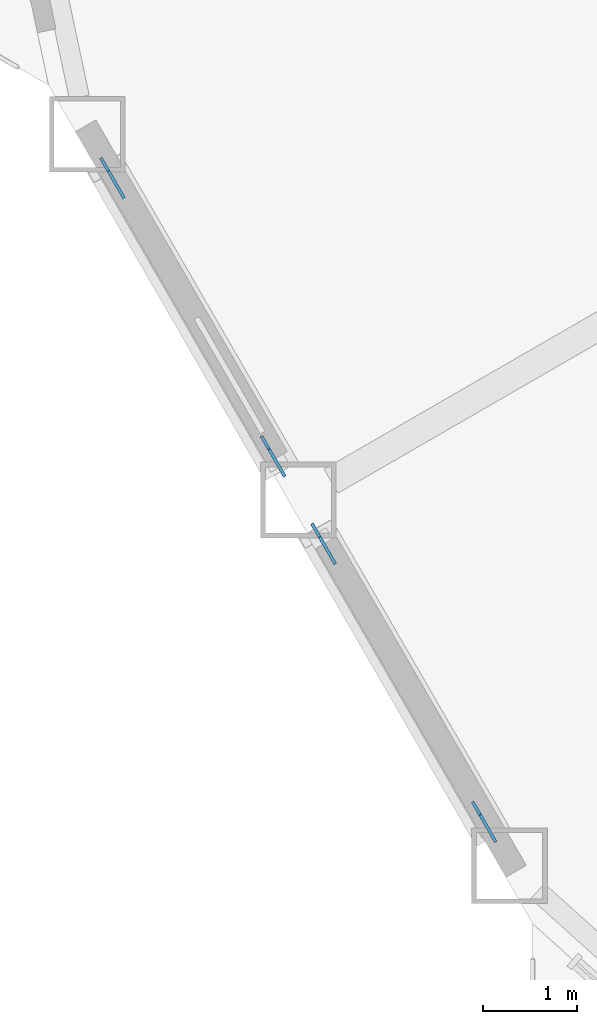
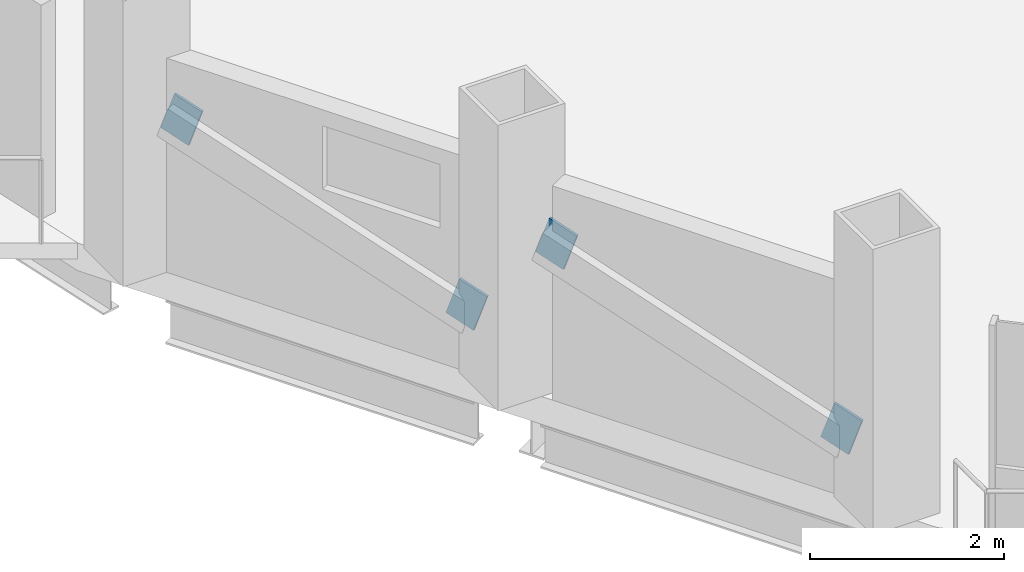
# One storey, part 16 of 23: 4 discrete accessories.
"""IFC4 building model written with IfcOpenShell, lengths in metres."""

from ifc_helpers import new_model, si_unit, direction, frame, origin, origin_2d, place, context, subcontext, project, spatial, rectangle, extrude, material, material_profile, profile_set, type_object, element, save


model = new_model("IFC4")

# Units and contexts
model_context = context("Model", 3, precision=1e-05, world=origin(), true_north=direction((0.0, 1.0)))
body_context = subcontext(model_context, "Body", "Model", "MODEL_VIEW")
ifc_project = project(units=[si_unit("LENGTHUNIT", "METRE"), si_unit("AREAUNIT", "SQUARE_METRE"), si_unit("VOLUMEUNIT", "CUBIC_METRE"), si_unit("PLANEANGLEUNIT", "RADIAN"), si_unit("MASSUNIT", "GRAM", prefix="KILO")], contexts=[model_context])

# Site, building, storey
site_placement = place(None, origin())
site = spatial("IfcSite", under=ifc_project, at=site_placement, CompositionType="ELEMENT")
building_placement = place(site_placement, origin())
building = spatial("IfcBuilding", under=site, at=building_placement, Name="Cormorant Prow Tower", CompositionType="ELEMENT")
storey_placement = place(building_placement, frame((0.0, 0.0, 172.800048828125)))
storey = spatial("IfcBuildingStorey", under=building, at=storey_placement, Name="L36", CompositionType="ELEMENT", Elevation=172.800048828125)

# Discrete accessories
ifc_material = material(Name="Structural steel ASTM A500 Gr C", Category="steel")
ifc_material_profile = material_profile(ifc_material, rectangle(XDim=0.031982421875, YDim=0.506103515625, at=origin_2d()), Name="Gusset plate 32x506")
ifc_profile_set = profile_set([ifc_material_profile], Name="Structural steel ASTM A500 Gr C")
discrete_accessory_type = type_object("IfcDiscreteAccessoryType", Name="Gusset plate 32x506", PredefinedType="BRACKET", material=ifc_profile_set)
for number, where, z_axis, x_axis, name in (
    (1, (-28.40966796875, -15.59228515625, 0.83544921875), (0.4742777402, -0.820918970906, -0.31804507284), (0.86587923604, 0.500253084543, 0.0), "Gusset plate GP2 L36.WSW00.g0"),
    (2, (-29.943359375, -12.935791015625, 1.865234375), (-0.473631655621, 0.821008039272, 0.31877712315), (-0.866197837791, -0.499701216534, 0.0), "Gusset plate GP2 L36.WSW00.g1"),
):
    element("IfcDiscreteAccessory", number, at=place(storey_placement, frame(where, z_axis=z_axis, x_axis=x_axis)), inside=storey, type_object=discrete_accessory_type, Name=name, PredefinedType="BRACKET", context=body_context, shape_type="SweptSolid", body=[
        extrude(rectangle(XDim=0.031982421875, YDim=0.506103515625, at=origin_2d()), origin(), (0.0, 0.0, 1.0), 0.35009765625),
    ])
discrete_accessory_1_placement = place(storey_placement, frame((-26.17431640625, -19.463623046875, 0.83544921875), z_axis=(0.47373689254, -0.821190460264, -0.318150254784), x_axis=(0.866197837791, 0.499701216534, 0.0)))
element("IfcDiscreteAccessory", 3, at=discrete_accessory_1_placement, inside=storey, type_object=discrete_accessory_type, Name="Gusset plate GP2 L36.WSW01.g0", PredefinedType="BRACKET", context=body_context, shape_type="SweptSolid", body=[
    extrude(rectangle(XDim=0.031982421875, YDim=0.506103515625, at=origin_2d()), origin(), (0.0, 0.0, 1.0), 0.349853515625),
])
discrete_accessory_2_placement = place(storey_placement, frame((-27.7080078125, -16.807373046875, 1.865234375), z_axis=(-0.474172452765, 0.820736730742, 0.318671780755), x_axis=(-0.86587923604, -0.500253084543, 0.0)))
element("IfcDiscreteAccessory", 4, at=discrete_accessory_2_placement, inside=storey, type_object=discrete_accessory_type, Name="Gusset plate GP2 L36.WSW01.g1", PredefinedType="BRACKET", context=body_context, shape_type="SweptSolid", body=[
    extrude(rectangle(XDim=0.031982421875, YDim=0.506103515625, at=origin_2d()), origin(), (0.0, 0.0, 1.0), 0.35009765625),
])

save(model, "model.ifc")
